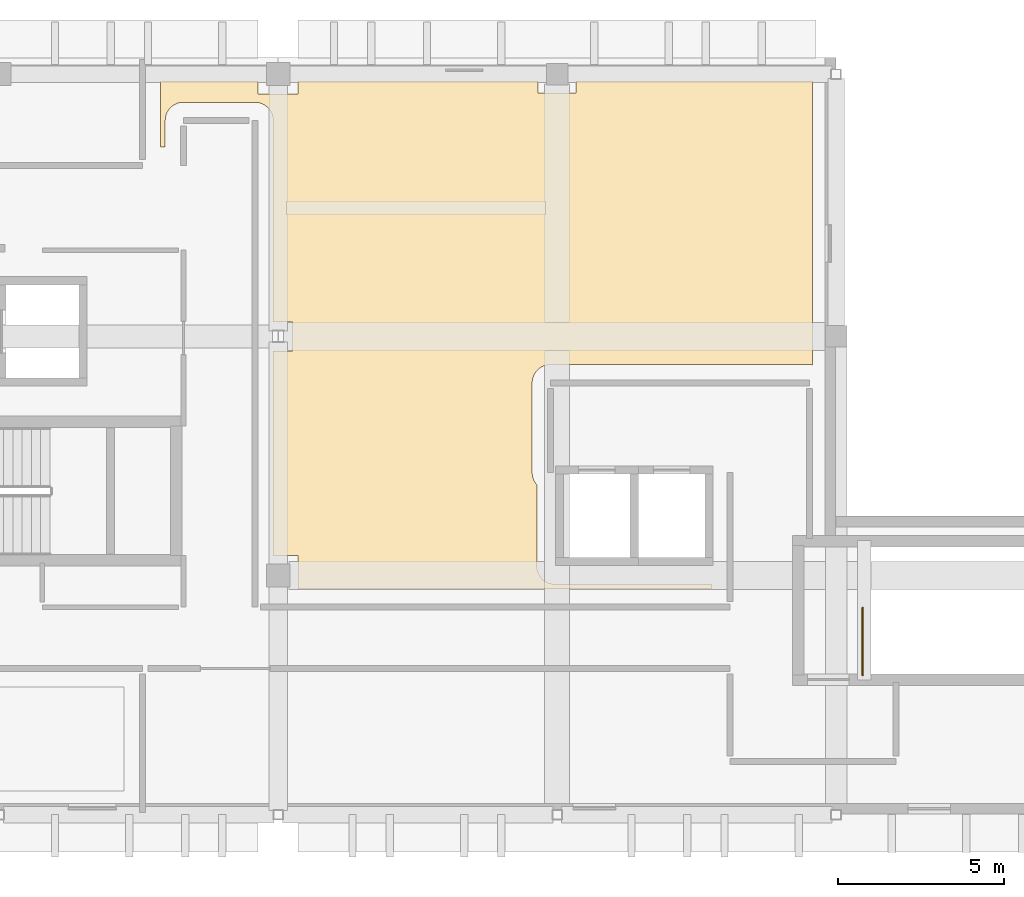
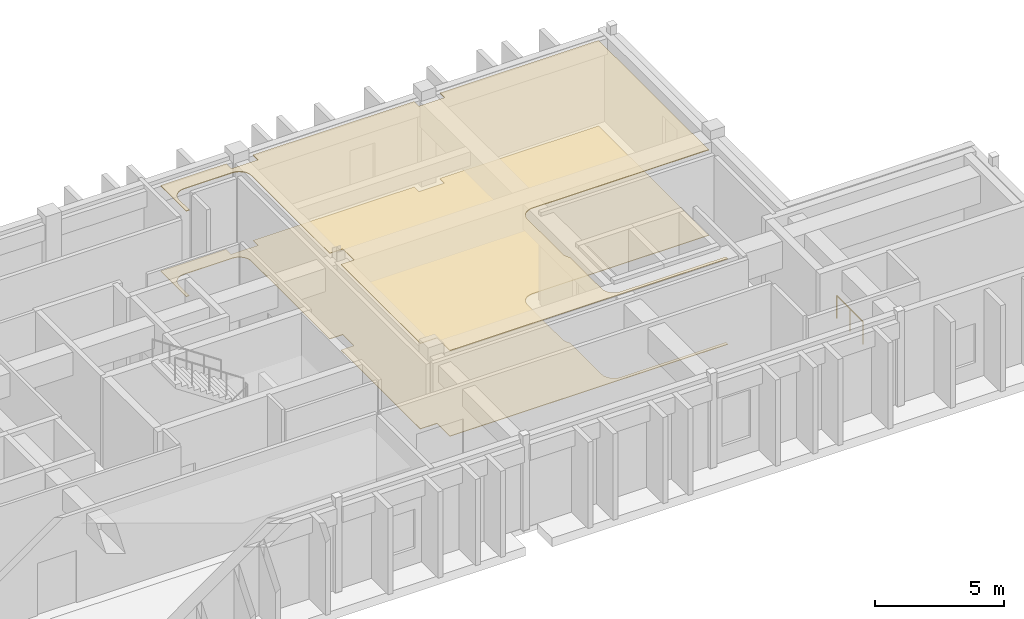
# One storey, part 8 of 8: 2 coverings, 1 railing.
"""IFC4 building model written with IfcOpenShell, lengths in metres."""

from ifc_helpers import new_model, si_unit, direction, frame, origin, origin_2d, place, context, subcontext, project, spatial, polyline, circle, outline, extrude, material, layer, layer_set, type_object, element, save


model = new_model("IFC4")

# Units and contexts
model_context = context("Model", 3, precision=1e-05, world=origin(), true_north=direction((0.0, 1.0)))
body_context = subcontext(model_context, "Body", "Model", "MODEL_VIEW")
ifc_project = project(units=[si_unit("LENGTHUNIT", "METRE"), si_unit("AREAUNIT", "SQUARE_METRE"), si_unit("VOLUMEUNIT", "CUBIC_METRE"), si_unit("PLANEANGLEUNIT", "RADIAN"), si_unit("MASSUNIT", "GRAM", prefix="KILO")], contexts=[model_context])

# Site, building, storey
site_placement = place(None, origin())
site = spatial("IfcSite", under=ifc_project, at=site_placement, CompositionType="ELEMENT")
building_placement = place(site_placement, origin())
building = spatial("IfcBuilding", under=site, at=building_placement, Name="Quendrovan Civic Courthouse", CompositionType="ELEMENT")
storey_placement = place(building_placement, frame((0.0, 0.0, 35.699951171875)))
storey = spatial("IfcBuildingStorey", under=building, at=storey_placement, Name="L08", CompositionType="ELEMENT", Elevation=35.699951171875)

# Coverings
ifc_material_1 = material(Name="Perforated Western Red Cedar and mineral acoustic ceiling")
ifc_layer_1 = layer(ifc_material_1, 0.034912109375, Name="Perforated Western Red Cedar and mineral acoustic ceiling")
ifc_layer_set_1 = layer_set([ifc_layer_1], Name="Perforated Western Red Cedar and mineral acoustic ceiling")
covering_type_1 = type_object("IfcCoveringType", Name="COV-CEIL-ACOUSTIC", PredefinedType="CEILING", material=ifc_layer_set_1)
covering_1_placement = place(storey_placement, frame((0.0, 0.0, 4.045166015625)))
element("IfcCovering", 1, at=covering_1_placement, inside=storey, type_object=covering_type_1, Name="L08 Appellate Courtroom Acoustic Ceiling", PredefinedType="CEILING", context=body_context, shape_type="SweptSolid", body=[
    extrude(outline(polyline([(67.800048828125, 94.39990234375), (67.800048828125, 95.39990234375), (67.050048828125, 95.39990234375), (67.050048828125, 101.56396484375), (67.636962890625, 101.56396484375), (67.636962890625, 102.43603515625), (67.050048828125, 102.43603515625), (67.050048828125, 108.5), (67.04736328125, 108.553955078125), (67.039306640625, 108.607421875), (67.0263671875, 108.65966796875), (67.008056640625, 108.71044921875), (66.985107421875, 108.75927734375), (66.957275390625, 108.8056640625), (66.92529296875, 108.848876953125), (66.888916015625, 108.888916015625), (66.848876953125, 108.92529296875), (66.8056640625, 108.957275390625), (66.75927734375, 108.985107421875), (66.71044921875, 109.008056640625), (66.65966796875, 109.0263671875), (66.607421875, 109.039306640625), (66.553955078125, 109.04736328125), (66.5, 109.050048828125), (64.35009765625, 109.050048828125), (64.296142578125, 109.04736328125), (64.24267578125, 109.039306640625), (64.190185546875, 109.0263671875), (64.139404296875, 109.008056640625), (64.0908203125, 108.985107421875), (64.04443359375, 108.957275390625), (64.001220703125, 108.92529296875), (63.961181640625, 108.888916015625), (63.9248046875, 108.848876953125), (63.892578125, 108.8056640625), (63.864990234375, 108.75927734375), (63.841796875, 108.71044921875), (63.82373046875, 108.65966796875), (63.810546875, 108.607421875), (63.802490234375, 108.553955078125), (63.800048828125, 108.5), (63.800048828125, 107.699951171875), (63.659912109375, 107.699951171875), (63.659912109375, 109.68994140625), (66.60009765625, 109.68994140625), (66.60009765625, 109.300048828125), (67.800048828125, 109.300048828125), (67.800048828125, 109.68994140625), (75.02490234375, 109.68994140625), (75.02490234375, 109.324951171875), (76.175048828125, 109.324951171875), (76.175048828125, 109.68994140625), (83.2900390625, 109.68994140625), (83.2900390625, 101.14208984375), (83.25390625, 101.1474609375), (83.199951171875, 101.14990234375), (75.39990234375, 101.14990234375), (75.34619140625, 101.1474609375), (75.292724609375, 101.139404296875), (75.240234375, 101.126220703125), (75.189453125, 101.108154296875), (75.140625, 101.085205078125), (75.094482421875, 101.057373046875), (75.051025390625, 101.025146484375), (75.010986328125, 100.989013671875), (74.974853515625, 100.948974609375), (74.942626953125, 100.905517578125), (74.914794921875, 100.859375), (74.891845703125, 100.810546875), (74.873779296875, 100.759765625), (74.860595703125, 100.707275390625), (74.8525390625, 100.65380859375), (74.85009765625, 100.60009765625), (74.85009765625, 97.89990234375), (74.8525390625, 97.84619140625), (74.860595703125, 97.792724609375), (74.873779296875, 97.740234375), (74.891845703125, 97.689453125), (74.914794921875, 97.640625), (74.942626953125, 97.594482421875), (74.974853515625, 97.551025390625), (74.989990234375, 97.534423828125), (74.989990234375, 95.090087890625), (74.99267578125, 95.0361328125), (75.00048828125, 94.982666015625), (75.013671875, 94.930419921875), (75.031982421875, 94.87939453125), (75.054931640625, 94.830810546875), (75.082763671875, 94.784423828125), (75.11474609375, 94.7412109375), (75.151123046875, 94.701171875), (75.191162109375, 94.664794921875), (75.234375, 94.6328125), (75.28076171875, 94.60498046875), (75.32958984375, 94.581787109375), (75.38037109375, 94.563720703125), (75.4326171875, 94.550537109375), (75.486083984375, 94.54248046875), (75.5400390625, 94.5400390625), (80.25, 94.5400390625), (80.25, 94.39990234375), (67.800048828125, 94.39990234375)])), origin(), (0.0, 0.0, 1.0), 0.034912109375),
])
ifc_material_2 = material(Name="Solid oak courtroom parquet flooring")
ifc_layer_2 = layer(ifc_material_2, 0.02490234375, Name="Solid oak courtroom parquet flooring")
ifc_layer_set_2 = layer_set([ifc_layer_2], Name="Solid oak courtroom parquet flooring")
covering_type_2 = type_object("IfcCoveringType", Name="COV-FLOR-TIMBER", PredefinedType="FLOORING", material=ifc_layer_set_2)
covering_2_placement = place(storey_placement, origin())
element("IfcCovering", 2, at=covering_2_placement, inside=storey, type_object=covering_type_2, Name="L08 Appellate Courtroom Finish Flooring", PredefinedType="FLOORING", context=body_context, shape_type="SweptSolid", body=[
    extrude(outline(polyline([(67.800048828125, 94.39990234375), (67.800048828125, 95.39990234375), (67.050048828125, 95.39990234375), (67.050048828125, 101.56396484375), (67.636962890625, 101.56396484375), (67.636962890625, 102.43603515625), (67.050048828125, 102.43603515625), (67.050048828125, 108.5), (67.04736328125, 108.553955078125), (67.039306640625, 108.607421875), (67.0263671875, 108.65966796875), (67.008056640625, 108.71044921875), (66.985107421875, 108.75927734375), (66.957275390625, 108.8056640625), (66.92529296875, 108.848876953125), (66.888916015625, 108.888916015625), (66.848876953125, 108.92529296875), (66.8056640625, 108.957275390625), (66.75927734375, 108.985107421875), (66.71044921875, 109.008056640625), (66.65966796875, 109.0263671875), (66.607421875, 109.039306640625), (66.553955078125, 109.04736328125), (66.5, 109.050048828125), (64.35009765625, 109.050048828125), (64.296142578125, 109.04736328125), (64.24267578125, 109.039306640625), (64.190185546875, 109.0263671875), (64.139404296875, 109.008056640625), (64.0908203125, 108.985107421875), (64.04443359375, 108.957275390625), (64.001220703125, 108.92529296875), (63.961181640625, 108.888916015625), (63.9248046875, 108.848876953125), (63.892578125, 108.8056640625), (63.864990234375, 108.75927734375), (63.841796875, 108.71044921875), (63.82373046875, 108.65966796875), (63.810546875, 108.607421875), (63.802490234375, 108.553955078125), (63.800048828125, 108.5), (63.800048828125, 107.699951171875), (63.659912109375, 107.699951171875), (63.659912109375, 109.68994140625), (66.60009765625, 109.68994140625), (66.60009765625, 109.300048828125), (67.800048828125, 109.300048828125), (67.800048828125, 109.68994140625), (75.02490234375, 109.68994140625), (75.02490234375, 109.324951171875), (76.175048828125, 109.324951171875), (76.175048828125, 109.68994140625), (83.2900390625, 109.68994140625), (83.2900390625, 101.14208984375), (83.25390625, 101.1474609375), (83.199951171875, 101.14990234375), (75.39990234375, 101.14990234375), (75.34619140625, 101.1474609375), (75.292724609375, 101.139404296875), (75.240234375, 101.126220703125), (75.189453125, 101.108154296875), (75.140625, 101.085205078125), (75.094482421875, 101.057373046875), (75.051025390625, 101.025146484375), (75.010986328125, 100.989013671875), (74.974853515625, 100.948974609375), (74.942626953125, 100.905517578125), (74.914794921875, 100.859375), (74.891845703125, 100.810546875), (74.873779296875, 100.759765625), (74.860595703125, 100.707275390625), (74.8525390625, 100.65380859375), (74.85009765625, 100.60009765625), (74.85009765625, 97.89990234375), (74.8525390625, 97.84619140625), (74.860595703125, 97.792724609375), (74.873779296875, 97.740234375), (74.891845703125, 97.689453125), (74.914794921875, 97.640625), (74.942626953125, 97.594482421875), (74.974853515625, 97.551025390625), (74.989990234375, 97.534423828125), (74.989990234375, 95.090087890625), (74.99267578125, 95.0361328125), (75.00048828125, 94.982666015625), (75.013671875, 94.930419921875), (75.031982421875, 94.87939453125), (75.054931640625, 94.830810546875), (75.082763671875, 94.784423828125), (75.11474609375, 94.7412109375), (75.151123046875, 94.701171875), (75.191162109375, 94.664794921875), (75.234375, 94.6328125), (75.28076171875, 94.60498046875), (75.32958984375, 94.581787109375), (75.38037109375, 94.563720703125), (75.4326171875, 94.550537109375), (75.486083984375, 94.54248046875), (75.5400390625, 94.5400390625), (80.25, 94.5400390625), (80.25, 94.39990234375), (67.800048828125, 94.39990234375)])), origin(), (0.0, 0.0, 1.0), 0.025146484375),
])

# Railing
ifc_material_3 = material(Name="Painted galvanized steel", Category="steel")
railing_type = type_object("IfcRailingType", Name="RL-STR-GUARD1100", PredefinedType="GUARDRAIL", material=ifc_material_3)
railing_placement = place(storey_placement, frame((84.800048828125, 91.800048828125, 0.0)))
element("IfcRailing", 3, at=railing_placement, inside=storey, type_object=railing_type, Name="L08 ST3 top well guard 1", PredefinedType="GUARDRAIL", context=body_context, shape_type="SweptSolid", body=[
    extrude(circle(Radius=0.02392578125, at=origin_2d()), frame((0.0, 0.0, 1.076171875), z_axis=(0.0, 1.0, 0.0), x_axis=(-1.0, 0.0, 0.0)), (0.0, 0.0, 1.0), 2.030029296875),
    extrude(circle(Radius=0.02099609375, at=origin_2d()), origin(), (0.0, 0.0, 1.0), 1.052001953125),
    extrude(circle(Radius=0.02099609375, at=origin_2d()), frame((0.0, 1.01513671875, 0.0)), (0.0, 0.0, 1.0), 1.052001953125),
    extrude(circle(Radius=0.02099609375, at=origin_2d()), frame((0.0, 2.030029296875, 0.0)), (0.0, 0.0, 1.0), 1.052001953125),
])

save(model, "model.ifc")
